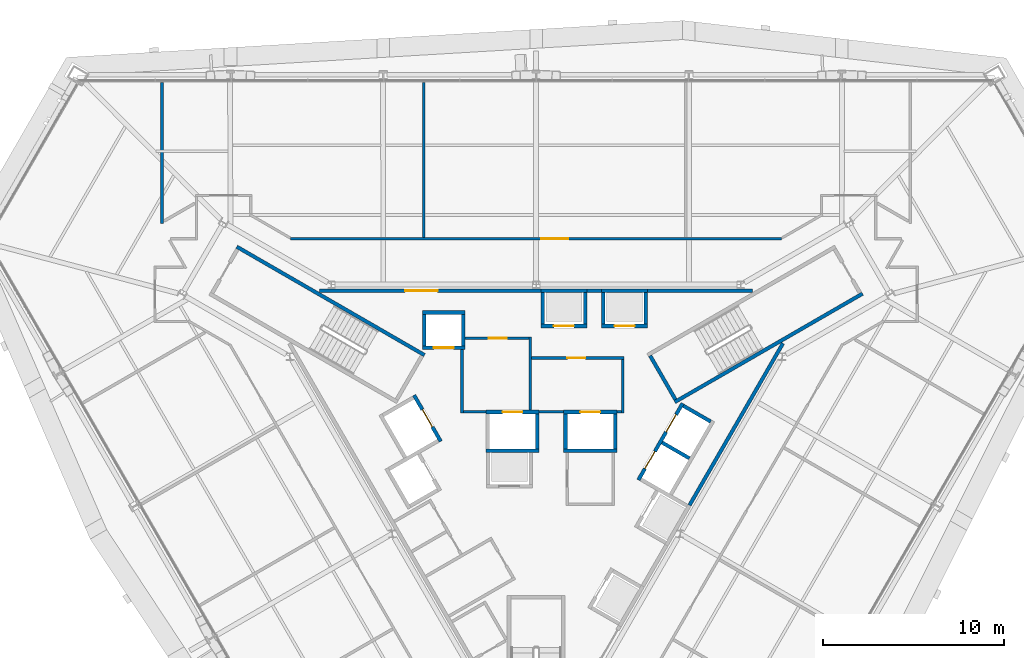
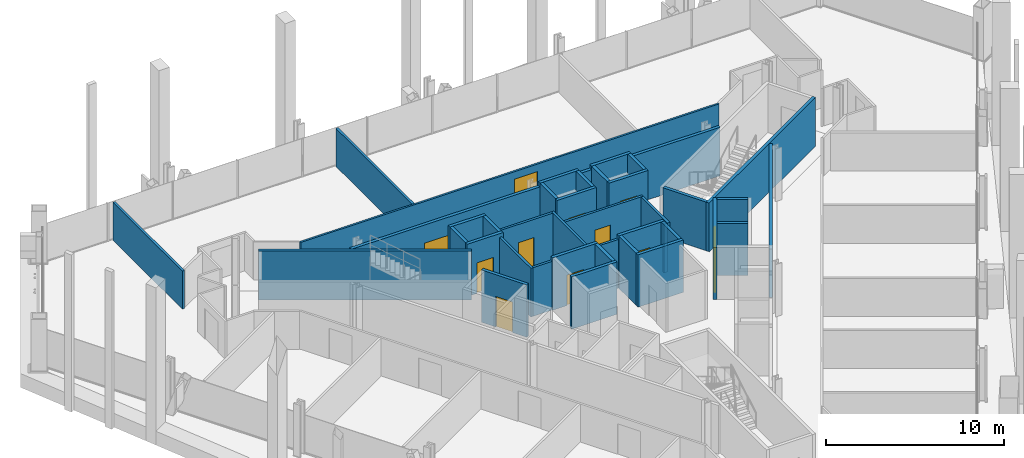
# One storey, part 12 of 16: 41 walls, 12 doors, 12 openings.
"""IFC4 building model written with IfcOpenShell, lengths in metres."""

from ifc_helpers import new_model, si_unit, direction, frame, frame_2d, origin, place, context, subcontext, project, spatial, rectangle, extrude, material, layer, layer_set, type_object, element, fill, save


model = new_model("IFC4")

# Units and contexts
model_context = context("Model", 3, precision=1e-05, world=origin(), true_north=direction((0.0, 1.0)))
body_context = subcontext(model_context, "Body", "Model", "MODEL_VIEW")
ifc_project = project(units=[si_unit("LENGTHUNIT", "METRE"), si_unit("AREAUNIT", "SQUARE_METRE"), si_unit("VOLUMEUNIT", "CUBIC_METRE"), si_unit("PLANEANGLEUNIT", "RADIAN"), si_unit("MASSUNIT", "GRAM", prefix="KILO")], contexts=[model_context])

# Site, building, storey
site_placement = place(None, origin())
site = spatial("IfcSite", under=ifc_project, at=site_placement, CompositionType="ELEMENT")
building_placement = place(site_placement, origin())
building = spatial("IfcBuilding", under=site, at=building_placement, Name="Verrane Prism Tower", CompositionType="ELEMENT")
storey_placement = place(building_placement, frame((0.0, 0.0, 36.800048828125)))
storey = spatial("IfcBuildingStorey", under=building, at=storey_placement, Name="L06", CompositionType="ELEMENT", Elevation=36.800048828125)

# Wall, opening, door
ifc_material_1 = material(Name="Gypsum board partition", Category="other")
ifc_layer_1 = layer(ifc_material_1, 0.199951171875)
ifc_layer_set_1 = layer_set([ifc_layer_1], Name="CW-200 core boundary wall 2 h")
wall_type_1 = type_object("IfcWallType", Name="CW-200 core boundary wall 2 h", PredefinedType="PARTITIONING", material=ifc_layer_set_1)
wall_1_placement = place(storey_placement, frame((0.262939453125, 8.860107421875, 0.0), z_axis=(0.0, 0.0, 1.0), x_axis=(-1.0, 0.0, 0.0)))
wall_1 = element("IfcWall", 1, at=wall_1_placement, inside=storey, type_object=wall_type_1, Name="Core boundary wall CW3-002", PredefinedType="PARTITIONING", context=body_context, shape_type="SweptSolid", body=[
    extrude(rectangle(XDim=12.25390625, YDim=0.199951171875, at=frame_2d((6.126953125, 0.0))), origin(), (0.0, 0.0, 1.0), 3.349853515625),
])
opening_1_placement = place(wall_1_placement, frame((5.708984375, 0.0, 0.0)))
opening_1 = element("IfcOpeningElement", 2, at=opening_1_placement, cuts=wall_1, Name="Opening D06515", PredefinedType="OPENING", context=body_context, shape_type="SweptSolid", body=[
    extrude(rectangle(XDim=1.800048828125, YDim=2.10009765625, at=frame_2d((0.89990234375, 1.050048828125))), frame((0.0, 0.10986328125, 0.0), z_axis=(0.0, -1.0, 0.0), x_axis=(1.0, 0.0, 0.0)), (0.0, 0.0, 1.0), 0.219970703125),
])
ifc_material_2 = material(Name="Timber veneered door leaf", Category="wood")
door_type_1 = type_object("IfcDoorType", Name="DR-1800x2100 FD60 double leaf lift lobby", OperationType="NOTDEFINED", PredefinedType="DOOR", material=ifc_material_2)
door_1_placement = place(opening_1_placement, origin())
door_1 = element("IfcDoor", 3, at=door_1_placement, inside=storey, type_object=door_type_1, Name="Lift lobby door D06515", OperationType="DOUBLE_DOOR_SINGLE_SWING", OverallHeight=2.10009765625, OverallWidth=1.800048828125, PredefinedType="DOOR", context=body_context, shape_type="SweptSolid", body=[
    extrude(rectangle(XDim=1.800048828125, YDim=2.10009765625, at=frame_2d((0.89990234375, 1.050048828125))), frame((0.0, 0.02490234375, 0.0), z_axis=(0.0, -1.0, 0.0), x_axis=(1.0, 0.0, 0.0)), (0.0, 0.0, 1.0), 0.050048828125),
])
fill(opening_1, door_1)

# Walls
wall_2_placement = place(storey_placement, frame((2.81689453125, 8.860107421875, 0.0), z_axis=(0.0, 0.0, 1.0), x_axis=(1.0, 0.0, 0.0)))
element("IfcWall", 4, at=wall_2_placement, inside=storey, type_object=wall_type_1, Name="Core boundary wall CW3-004", PredefinedType="PARTITIONING", context=body_context, shape_type="SweptSolid", body=[
    extrude(rectangle(XDim=0.80615234375, YDim=0.199951171875, at=frame_2d((0.403076171875, 0.0))), origin(), (0.0, 0.0, 1.0), 3.349853515625),
])
wall_3_placement = place(storey_placement, frame((6.177001953125, 8.860107421875, 0.0), z_axis=(0.0, 0.0, 1.0), x_axis=(1.0, 0.0, 0.0)))
element("IfcWall", 5, at=wall_3_placement, inside=storey, type_object=wall_type_1, Name="Core boundary wall CW3-006", PredefinedType="PARTITIONING", context=body_context, shape_type="SweptSolid", body=[
    extrude(rectangle(XDim=5.81396484375, YDim=0.199951171875, at=frame_2d((2.906982421875, 0.0))), origin(), (0.0, 0.0, 1.0), 3.349853515625),
])
wall_4_placement = place(storey_placement, frame((8.491943359375, -3.011962890625, 0.0), z_axis=(0.0, 0.0, 1.0), x_axis=(0.499972957231, 0.866041016371, 0.0)))
element("IfcWall", 6, at=wall_4_placement, inside=storey, type_object=wall_type_1, Name="Core boundary wall CW3-007", PredefinedType="PARTITIONING", context=body_context, shape_type="SweptSolid", body=[
    extrude(rectangle(XDim=10.3486328125, YDim=0.199951171875, at=frame_2d((5.17431640625, 0.0))), origin(), (0.0, 0.0, 1.0), 3.349853515625),
])
ifc_material_3 = material(Name="Concrete C40/50", Category="concrete")
ifc_layer_2 = layer(ifc_material_3, 0.199951171875)
ifc_layer_set_2 = layer_set([ifc_layer_2], Name="CW-200 stair core wall concrete C40/50 3 h")
wall_type_2 = type_object("IfcWallType", Name="CW-200 stair core wall concrete C40/50 3 h", PredefinedType="PARTITIONING", material=ifc_layer_set_2)
wall_5_placement = place(storey_placement, frame((7.67822265625, 2.700927734375, 0.0), z_axis=(0.0, 0.0, 1.0), x_axis=(0.866026010844, 0.49999894854, 0.0)))
element("IfcWall", 7, at=wall_5_placement, inside=storey, type_object=wall_type_2, Name="Stair 1 enclosure wall", PredefinedType="PARTITIONING", context=body_context, shape_type="SweptSolid", body=[
    extrude(rectangle(XDim=12.0, YDim=0.199951171875, at=frame_2d((6.0, 0.0))), origin(), (0.0, 0.0, 1.0), 3.349853515625),
])
wall_6_placement = place(storey_placement, frame((7.71484375, 2.837646484375, 0.0), z_axis=(0.0, 0.0, 1.0), x_axis=(-0.500049511043, 0.865996816683, 0.0)))
element("IfcWall", 8, at=wall_6_placement, inside=storey, type_object=wall_type_2, Name="Stair 1 enclosure wall", PredefinedType="PARTITIONING", context=body_context, shape_type="SweptSolid", body=[
    extrude(rectangle(XDim=2.800048828125, YDim=0.199951171875, at=frame_2d((1.39990234375, 0.0))), origin(), (0.0, 0.0, 1.0), 3.349853515625),
])
wall_7_placement = place(storey_placement, frame((-6.17822265625, 5.299072265625, 0.0), z_axis=(0.0, 0.0, 1.0), x_axis=(-0.866026010844, 0.49999894854, 0.0)))
element("IfcWall", 9, at=wall_7_placement, inside=storey, type_object=wall_type_2, Name="Stair 2 enclosure wall", PredefinedType="PARTITIONING", context=body_context, shape_type="SweptSolid", body=[
    extrude(rectangle(XDim=12.0, YDim=0.199951171875, at=frame_2d((6.0, 0.0))), origin(), (0.0, 0.0, 1.0), 3.349853515625),
])
ifc_material_4 = material(Name="Gypsum board shaft wall assembly", Category="other")
ifc_layer_3 = layer(ifc_material_4, 0.199951171875)
ifc_layer_set_3 = layer_set([ifc_layer_3], Name="HW-200 lift shaft wall 2 h")
wall_type_3 = type_object("IfcWallType", Name="HW-200 lift shaft wall 2 h", PredefinedType="PARTITIONING", material=ifc_layer_set_3)
wall_8_placement = place(storey_placement, frame((-2.784912109375, 0.0, 0.0), z_axis=(0.0, 0.0, 1.0), x_axis=(1.0, 0.0, 0.0)))
element("IfcWall", 10, at=wall_8_placement, inside=storey, type_object=wall_type_3, Name="Lift shaft wall", PredefinedType="PARTITIONING", context=body_context, shape_type="SweptSolid", body=[
    extrude(rectangle(XDim=2.949951171875, YDim=0.199951171875, at=frame_2d((1.47509765625, 0.0))), origin(), (0.0, 0.0, 1.0), 3.599853515625),
])
wall_9_placement = place(storey_placement, frame((1.52490234375, 0.0, 0.0), z_axis=(0.0, 0.0, 1.0), x_axis=(1.0, 0.0, 0.0)))
element("IfcWall", 11, at=wall_9_placement, inside=storey, type_object=wall_type_3, Name="Lift shaft wall", PredefinedType="PARTITIONING", context=body_context, shape_type="SweptSolid", body=[
    extrude(rectangle(XDim=2.9501953125, YDim=0.199951171875, at=frame_2d((1.47509765625, 0.0))), origin(), (0.0, 0.0, 1.0), 3.599853515625),
])

# Wall, opening, door
wall_10_placement = place(storey_placement, frame((-2.784912109375, 2.14990234375, 0.0), z_axis=(0.0, 0.0, 1.0), x_axis=(1.0, 0.0, 0.0)))
wall_10 = element("IfcWall", 12, at=wall_10_placement, inside=storey, type_object=wall_type_3, Name="Lift shaft wall", PredefinedType="PARTITIONING", context=body_context, shape_type="SweptSolid", body=[
    extrude(rectangle(XDim=2.949951171875, YDim=0.199951171875, at=frame_2d((1.47509765625, 0.0))), origin(), (0.0, 0.0, 1.0), 3.599853515625),
])
opening_2_placement = place(wall_10_placement, frame((0.925048828125, 0.0, 0.0)))
opening_2 = element("IfcOpeningElement", 13, at=opening_2_placement, cuts=wall_10, Name="Opening D06512", PredefinedType="OPENING", context=body_context, shape_type="SweptSolid", body=[
    extrude(rectangle(XDim=1.10009765625, YDim=2.10009765625, at=frame_2d((0.550048828125, 1.050048828125))), frame((0.0, 0.10986328125, 0.0), z_axis=(0.0, -1.0, 0.0), x_axis=(1.0, 0.0, 0.0)), (0.0, 0.0, 1.0), 0.219970703125),
])
ifc_material_5 = material(Name="Stainless steel sliding landing door", Category="steel")
door_type_2 = type_object("IfcDoorType", Name="LD-1100x2100 lift landing door FD90 sliding", OperationType="NOTDEFINED", PredefinedType="DOOR", material=ifc_material_5)
door_2_placement = place(opening_2_placement, origin())
door_2 = element("IfcDoor", 14, at=door_2_placement, inside=storey, type_object=door_type_2, Name="Fire service lift 1 landing door", OperationType="SLIDING_TO_LEFT", OverallHeight=2.10009765625, OverallWidth=1.10009765625, PredefinedType="DOOR", context=body_context, shape_type="SweptSolid", body=[
    extrude(rectangle(XDim=1.10009765625, YDim=2.10009765625, at=frame_2d((0.550048828125, 1.050048828125))), frame((0.0, 0.02490234375, 0.0), z_axis=(0.0, -1.0, 0.0), x_axis=(1.0, 0.0, 0.0)), (0.0, 0.0, 1.0), 0.050048828125),
])
fill(opening_2, door_2)

wall_11_placement = place(storey_placement, frame((1.52490234375, 2.14990234375, 0.0), z_axis=(0.0, 0.0, 1.0), x_axis=(1.0, 0.0, 0.0)))
wall_11 = element("IfcWall", 15, at=wall_11_placement, inside=storey, type_object=wall_type_3, Name="Lift shaft wall", PredefinedType="PARTITIONING", context=body_context, shape_type="SweptSolid", body=[
    extrude(rectangle(XDim=2.9501953125, YDim=0.199951171875, at=frame_2d((1.47509765625, 0.0))), origin(), (0.0, 0.0, 1.0), 3.599853515625),
])
opening_3_placement = place(wall_11_placement, frame((0.925048828125, 0.0, 0.0)))
opening_3 = element("IfcOpeningElement", 16, at=opening_3_placement, cuts=wall_11, Name="Opening D06513", PredefinedType="OPENING", context=body_context, shape_type="SweptSolid", body=[
    extrude(rectangle(XDim=1.10009765625, YDim=2.10009765625, at=frame_2d((0.550048828125, 1.050048828125))), frame((0.0, 0.10986328125, 0.0), z_axis=(0.0, -1.0, 0.0), x_axis=(1.0, 0.0, 0.0)), (0.0, 0.0, 1.0), 0.219970703125),
])
door_3_placement = place(opening_3_placement, origin())
door_3 = element("IfcDoor", 17, at=door_3_placement, inside=storey, type_object=door_type_2, Name="Fire service lift 2 landing door", OperationType="SLIDING_TO_RIGHT", OverallHeight=2.10009765625, OverallWidth=1.10009765625, PredefinedType="DOOR", context=body_context, shape_type="SweptSolid", body=[
    extrude(rectangle(XDim=1.10009765625, YDim=2.10009765625, at=frame_2d((0.550048828125, 1.050048828125))), frame((0.0, 0.02490234375, 0.0), z_axis=(0.0, -1.0, 0.0), x_axis=(1.0, 0.0, 0.0)), (0.0, 0.0, 1.0), 0.050048828125),
])
fill(opening_3, door_3)

wall_12_placement = place(storey_placement, frame((-6.284912109375, 5.7099609375, 0.0), z_axis=(0.0, 0.0, 1.0), x_axis=(1.0, 0.0, 0.0)))
wall_12 = element("IfcWall", 18, at=wall_12_placement, inside=storey, type_object=wall_type_3, Name="Lift shaft wall", PredefinedType="PARTITIONING", context=body_context, shape_type="SweptSolid", body=[
    extrude(rectangle(XDim=2.349853515625, YDim=0.199951171875, at=frame_2d((1.1748046875, 0.0))), origin(), (0.0, 0.0, 1.0), 3.599853515625),
])
opening_4_placement = place(wall_12_placement, frame((0.625, 0.0, 0.0)))
opening_4 = element("IfcOpeningElement", 19, at=opening_4_placement, cuts=wall_12, Name="Opening D06504", PredefinedType="OPENING", context=body_context, shape_type="SweptSolid", body=[
    extrude(rectangle(XDim=1.10009765625, YDim=2.10009765625, at=frame_2d((0.550048828125, 1.050048828125))), frame((0.0, 0.10986328125, 0.0), z_axis=(0.0, -1.0, 0.0), x_axis=(1.0, 0.0, 0.0)), (0.0, 0.0, 1.0), 0.219970703125),
])
door_4_placement = place(opening_4_placement, origin())
door_4 = element("IfcDoor", 20, at=door_4_placement, inside=storey, type_object=door_type_2, Name="Shuttle lift 2 landing door", OperationType="SLIDING_TO_RIGHT", OverallHeight=2.10009765625, OverallWidth=1.10009765625, PredefinedType="DOOR", context=body_context, shape_type="SweptSolid", body=[
    extrude(rectangle(XDim=1.10009765625, YDim=2.10009765625, at=frame_2d((0.550048828125, 1.050048828125))), frame((0.0, 0.02490234375, 0.0), z_axis=(0.0, -1.0, 0.0), x_axis=(1.0, 0.0, 0.0)), (0.0, 0.0, 1.0), 0.050048828125),
])
fill(opening_4, door_4)

wall_13_placement = place(storey_placement, frame((0.264892578125, 6.909912109375, 0.0), z_axis=(0.0, 0.0, 1.0), x_axis=(1.0, 0.0, 0.0)))
wall_13 = element("IfcWall", 21, at=wall_13_placement, inside=storey, type_object=wall_type_3, Name="Lift shaft wall", PredefinedType="PARTITIONING", context=body_context, shape_type="SweptSolid", body=[
    extrude(rectangle(XDim=2.550048828125, YDim=0.199951171875, at=frame_2d((1.27490234375, 0.0))), origin(), (0.0, 0.0, 1.0), 3.599853515625),
])
opening_5_placement = place(wall_13_placement, frame((0.72509765625, 0.0, 0.0)))
opening_5 = element("IfcOpeningElement", 22, at=opening_5_placement, cuts=wall_13, Name="Opening D06507", PredefinedType="OPENING", context=body_context, shape_type="SweptSolid", body=[
    extrude(rectangle(XDim=1.10009765625, YDim=2.10009765625, at=frame_2d((0.550048828125, 1.050048828125))), frame((0.0, 0.10986328125, 0.0), z_axis=(0.0, -1.0, 0.0), x_axis=(1.0, 0.0, 0.0)), (0.0, 0.0, 1.0), 0.219970703125),
])
door_5_placement = place(opening_5_placement, origin())
door_5 = element("IfcDoor", 23, at=door_5_placement, inside=storey, type_object=door_type_2, Name="Bank A lift 1 landing door", OperationType="SLIDING_TO_LEFT", OverallHeight=2.10009765625, OverallWidth=1.10009765625, PredefinedType="DOOR", context=body_context, shape_type="SweptSolid", body=[
    extrude(rectangle(XDim=1.10009765625, YDim=2.10009765625, at=frame_2d((0.550048828125, 1.050048828125))), frame((0.0, 0.02490234375, 0.0), z_axis=(0.0, -1.0, 0.0), x_axis=(1.0, 0.0, 0.0)), (0.0, 0.0, 1.0), 0.050048828125),
])
fill(opening_5, door_5)

wall_14_placement = place(storey_placement, frame((3.625, 6.909912109375, 0.0), z_axis=(0.0, 0.0, 1.0), x_axis=(1.0, 0.0, 0.0)))
wall_14 = element("IfcWall", 24, at=wall_14_placement, inside=storey, type_object=wall_type_3, Name="Lift shaft wall", PredefinedType="PARTITIONING", context=body_context, shape_type="SweptSolid", body=[
    extrude(rectangle(XDim=2.550048828125, YDim=0.199951171875, at=frame_2d((1.27490234375, 0.0))), origin(), (0.0, 0.0, 1.0), 3.599853515625),
])
opening_6_placement = place(wall_14_placement, frame((0.72509765625, 0.0, 0.0)))
opening_6 = element("IfcOpeningElement", 25, at=opening_6_placement, cuts=wall_14, Name="Opening D06509", PredefinedType="OPENING", context=body_context, shape_type="SweptSolid", body=[
    extrude(rectangle(XDim=1.10009765625, YDim=2.10009765625, at=frame_2d((0.550048828125, 1.050048828125))), frame((0.0, 0.10986328125, 0.0), z_axis=(0.0, -1.0, 0.0), x_axis=(1.0, 0.0, 0.0)), (0.0, 0.0, 1.0), 0.219970703125),
])
door_6_placement = place(opening_6_placement, origin())
door_6 = element("IfcDoor", 26, at=door_6_placement, inside=storey, type_object=door_type_2, Name="Bank A lift 3 landing door", OperationType="SLIDING_TO_LEFT", OverallHeight=2.10009765625, OverallWidth=1.10009765625, PredefinedType="DOOR", context=body_context, shape_type="SweptSolid", body=[
    extrude(rectangle(XDim=1.10009765625, YDim=2.10009765625, at=frame_2d((0.550048828125, 1.050048828125))), frame((0.0, 0.02490234375, 0.0), z_axis=(0.0, -1.0, 0.0), x_axis=(1.0, 0.0, 0.0)), (0.0, 0.0, 1.0), 0.050048828125),
])
fill(opening_6, door_6)

# Walls
wall_15_placement = place(storey_placement, frame((-6.284912109375, 7.659912109375, 0.0), z_axis=(0.0, 0.0, 1.0), x_axis=(1.0, 0.0, 0.0)))
element("IfcWall", 27, at=wall_15_placement, inside=storey, type_object=wall_type_3, Name="Lift shaft wall", PredefinedType="PARTITIONING", context=body_context, shape_type="SweptSolid", body=[
    extrude(rectangle(XDim=2.349853515625, YDim=0.199951171875, at=frame_2d((1.1748046875, 0.0))), origin(), (0.0, 0.0, 1.0), 3.599853515625),
])
for number, where, z_axis, x_axis, name in (
    (28, (0.264892578125, 8.860107421875, 0.0), (0.0, 0.0, 1.0), (1.0, 0.0, 0.0), "Lift shaft wall"),
    (29, (3.625, 8.860107421875, 0.0), (0.0, 0.0, 1.0), (1.0, 0.0, 0.0), "Lift shaft wall"),
):
    element("IfcWall", number, at=place(storey_placement, frame(where, z_axis=z_axis, x_axis=x_axis)), inside=storey, type_object=wall_type_3, Name=name, PredefinedType="PARTITIONING", context=body_context, shape_type="SweptSolid", body=[
        extrude(rectangle(XDim=2.550048828125, YDim=0.199951171875, at=frame_2d((1.27490234375, 0.0))), origin(), (0.0, 0.0, 1.0), 3.599853515625),
    ])

# Wall, openings, doors
wall_16_placement = place(storey_placement, frame((5.66259765625, -1.6123046875, 0.0), z_axis=(0.0, 0.0, 1.0), x_axis=(0.49998122708, 0.866036242063, 0.0)))
wall_16 = element("IfcWall", 30, at=wall_16_placement, inside=storey, type_object=wall_type_3, Name="Lift shaft wall", PredefinedType="PARTITIONING", context=body_context, shape_type="SweptSolid", body=[
    extrude(rectangle(XDim=4.900146484375, YDim=0.199951171875, at=frame_2d((2.4501953125, 0.0))), origin(), (0.0, 0.0, 1.0), 3.599853515625),
])
opening_7_placement = place(wall_16_placement, frame((3.074951171875, 0.0, 0.0)))
opening_7 = element("IfcOpeningElement", 31, at=opening_7_placement, cuts=wall_16, Name="Opening D06503", PredefinedType="OPENING", context=body_context, shape_type="SweptSolid", body=[
    extrude(rectangle(XDim=1.10009765625, YDim=2.10009765625, at=frame_2d((0.550048828125, 1.050048828125))), frame((0.0, 0.10986328125, 0.0), z_axis=(0.0, -1.0, 0.0), x_axis=(1.0, 0.0, 0.0)), (0.0, 0.0, 1.0), 0.219970703125),
])
opening_8_placement = place(wall_16_placement, frame((0.72509765625, 0.0, 0.0)))
opening_8 = element("IfcOpeningElement", 32, at=opening_8_placement, cuts=wall_16, Name="Opening D06505", PredefinedType="OPENING", context=body_context, shape_type="SweptSolid", body=[
    extrude(rectangle(XDim=1.10009765625, YDim=2.10009765625, at=frame_2d((0.550048828125, 1.050048828125))), frame((0.0, 0.10986328125, 0.0), z_axis=(0.0, -1.0, 0.0), x_axis=(1.0, 0.0, 0.0)), (0.0, 0.0, 1.0), 0.219970703125),
])
door_7_placement = place(opening_7_placement, origin())
door_7 = element("IfcDoor", 33, at=door_7_placement, inside=storey, type_object=door_type_2, Name="Shuttle lift 1 landing door", OperationType="SLIDING_TO_LEFT", OverallHeight=2.10009765625, OverallWidth=1.10009765625, PredefinedType="DOOR", context=body_context, shape_type="SweptSolid", body=[
    extrude(rectangle(XDim=1.10009765625, YDim=2.10009765625, at=frame_2d((0.550048828125, 1.050048828125))), frame((0.0, 0.02490234375, 0.0), z_axis=(0.0, -1.0, 0.0), x_axis=(1.0, 0.0, 0.0)), (0.0, 0.0, 1.0), 0.050048828125),
])
fill(opening_7, door_7)
door_8_placement = place(opening_8_placement, origin())
door_8 = element("IfcDoor", 34, at=door_8_placement, inside=storey, type_object=door_type_2, Name="Shuttle lift 3 landing door", OperationType="SLIDING_TO_LEFT", OverallHeight=2.10009765625, OverallWidth=1.10009765625, PredefinedType="DOOR", context=body_context, shape_type="SweptSolid", body=[
    extrude(rectangle(XDim=1.10009765625, YDim=2.10009765625, at=frame_2d((0.550048828125, 1.050048828125))), frame((0.0, 0.02490234375, 0.0), z_axis=(0.0, -1.0, 0.0), x_axis=(1.0, 0.0, 0.0)), (0.0, 0.0, 1.0), 0.050048828125),
])
fill(opening_8, door_8)

# Walls
wall_17_placement = place(storey_placement, frame((6.074951171875, 7.010009765625, 0.0), z_axis=(0.0, 0.0, 1.0), x_axis=(0.0, 1.0, 0.0)))
element("IfcWall", 35, at=wall_17_placement, inside=storey, type_object=wall_type_3, Name="Lift shaft wall", PredefinedType="PARTITIONING", context=body_context, shape_type="SweptSolid", body=[
    extrude(rectangle(XDim=1.75, YDim=0.199951171875, at=frame_2d((0.875, 0.0))), origin(), (0.0, 0.0, 1.0), 3.599853515625),
])
wall_18_placement = place(storey_placement, frame((4.375, 0.10009765625, 0.0), z_axis=(0.0, 0.0, 1.0), x_axis=(0.0, 1.0, 0.0)))
element("IfcWall", 36, at=wall_18_placement, inside=storey, type_object=wall_type_3, Name="Lift shaft wall", PredefinedType="PARTITIONING", context=body_context, shape_type="SweptSolid", body=[
    extrude(rectangle(XDim=1.949951171875, YDim=0.199951171875, at=frame_2d((0.97509765625, 0.0))), origin(), (0.0, 0.0, 1.0), 3.599853515625),
])
for number, where, z_axis, x_axis, name in (
    (37, (3.72509765625, 7.010009765625, 0.0), (0.0, 0.0, 1.0), (0.0, 1.0, 0.0), "Lift shaft wall"),
    (38, (2.715087890625, 7.010009765625, 0.0), (0.0, 0.0, 1.0), (0.0, 1.0, 0.0), "Lift shaft wall"),
):
    element("IfcWall", number, at=place(storey_placement, frame(where, z_axis=z_axis, x_axis=x_axis)), inside=storey, type_object=wall_type_3, Name=name, PredefinedType="PARTITIONING", context=body_context, shape_type="SweptSolid", body=[
        extrude(rectangle(XDim=1.75, YDim=0.199951171875, at=frame_2d((0.875, 0.0))), origin(), (0.0, 0.0, 1.0), 3.599853515625),
    ])
wall_19_placement = place(storey_placement, frame((1.625, 0.10009765625, 0.0), z_axis=(0.0, 0.0, 1.0), x_axis=(0.0, 1.0, 0.0)))
element("IfcWall", 39, at=wall_19_placement, inside=storey, type_object=wall_type_3, Name="Lift shaft wall", PredefinedType="PARTITIONING", context=body_context, shape_type="SweptSolid", body=[
    extrude(rectangle(XDim=1.949951171875, YDim=0.199951171875, at=frame_2d((0.97509765625, 0.0))), origin(), (0.0, 0.0, 1.0), 3.599853515625),
])
wall_20_placement = place(storey_placement, frame((0.364990234375, 7.010009765625, 0.0), z_axis=(0.0, 0.0, 1.0), x_axis=(0.0, 1.0, 0.0)))
element("IfcWall", 40, at=wall_20_placement, inside=storey, type_object=wall_type_3, Name="Lift shaft wall", PredefinedType="PARTITIONING", context=body_context, shape_type="SweptSolid", body=[
    extrude(rectangle(XDim=1.75, YDim=0.199951171875, at=frame_2d((0.875, 0.0))), origin(), (0.0, 0.0, 1.0), 3.599853515625),
])
wall_21_placement = place(storey_placement, frame((0.06494140625, 0.10009765625, 0.0), z_axis=(0.0, 0.0, 1.0), x_axis=(0.0, 1.0, 0.0)))
element("IfcWall", 41, at=wall_21_placement, inside=storey, type_object=wall_type_3, Name="Lift shaft wall", PredefinedType="PARTITIONING", context=body_context, shape_type="SweptSolid", body=[
    extrude(rectangle(XDim=1.949951171875, YDim=0.199951171875, at=frame_2d((0.97509765625, 0.0))), origin(), (0.0, 0.0, 1.0), 3.599853515625),
])
for number, where, z_axis, x_axis, name in (
    (42, (-4.034912109375, 5.81005859375, 0.0), (0.0, 0.0, 1.0), (0.0, 1.0, 0.0), "Lift shaft wall"),
    (43, (-6.18505859375, 5.81005859375, 0.0), (0.0, 0.0, 1.0), (0.0, 1.0, 0.0), "Lift shaft wall"),
):
    element("IfcWall", number, at=place(storey_placement, frame(where, z_axis=z_axis, x_axis=x_axis)), inside=storey, type_object=wall_type_3, Name=name, PredefinedType="PARTITIONING", context=body_context, shape_type="SweptSolid", body=[
        extrude(rectangle(XDim=1.75, YDim=0.199951171875, at=frame_2d((0.875, 0.0))), origin(), (0.0, 0.0, 1.0), 3.599853515625),
    ])

# Wall, opening, door
wall_22_placement = place(storey_placement, frame((-5.280029296875, 0.525390625, 0.0), z_axis=(0.0, 0.0, 1.0), x_axis=(-0.500037662692, 0.866003658127, 0.0)))
wall_22 = element("IfcWall", 44, at=wall_22_placement, inside=storey, type_object=wall_type_3, Name="Lift shaft wall", PredefinedType="PARTITIONING", context=body_context, shape_type="SweptSolid", body=[
    extrude(rectangle(XDim=2.949951171875, YDim=0.199951171875, at=frame_2d((1.47509765625, 0.0))), origin(), (0.0, 0.0, 1.0), 3.599853515625),
])
opening_9_placement = place(wall_22_placement, frame((0.925048828125, 0.0, 0.0)))
opening_9 = element("IfcOpeningElement", 45, at=opening_9_placement, cuts=wall_22, Name="Opening D06514", PredefinedType="OPENING", context=body_context, shape_type="SweptSolid", body=[
    extrude(rectangle(XDim=1.10009765625, YDim=2.10009765625, at=frame_2d((0.550048828125, 1.050048828125))), frame((0.0, 0.10986328125, 0.0), z_axis=(0.0, -1.0, 0.0), x_axis=(1.0, 0.0, 0.0)), (0.0, 0.0, 1.0), 0.219970703125),
])
door_9_placement = place(opening_9_placement, origin())
door_9 = element("IfcDoor", 46, at=door_9_placement, inside=storey, type_object=door_type_2, Name="Service lift 1 landing door", OperationType="SLIDING_TO_LEFT", OverallHeight=2.10009765625, OverallWidth=1.10009765625, PredefinedType="DOOR", context=body_context, shape_type="SweptSolid", body=[
    extrude(rectangle(XDim=1.10009765625, YDim=2.10009765625, at=frame_2d((0.550048828125, 1.050048828125))), frame((0.0, 0.02490234375, 0.0), z_axis=(0.0, -1.0, 0.0), x_axis=(1.0, 0.0, 0.0)), (0.0, 0.0, 1.0), 0.050048828125),
])
fill(opening_9, door_9)

# Walls
wall_23_placement = place(storey_placement, frame((9.66455078125, 1.61962890625, 0.0), z_axis=(0.0, 0.0, 1.0), x_axis=(-0.866002029911, 0.500040482552, 0.0)))
element("IfcWall", 47, at=wall_23_placement, inside=storey, type_object=wall_type_3, Name="Lift shaft wall", PredefinedType="PARTITIONING", context=body_context, shape_type="SweptSolid", body=[
    extrude(rectangle(XDim=1.749755859375, YDim=0.199951171875, at=frame_2d((0.875, 0.0))), origin(), (0.0, 0.0, 1.0), 3.599853515625),
])
wall_24_placement = place(storey_placement, frame((8.48974609375, -0.41552734375, 0.0), z_axis=(0.0, 0.0, 1.0), x_axis=(-0.866036909293, 0.499980071345, 0.0)))
element("IfcWall", 48, at=wall_24_placement, inside=storey, type_object=wall_type_3, Name="Lift shaft wall", PredefinedType="PARTITIONING", context=body_context, shape_type="SweptSolid", body=[
    extrude(rectangle(XDim=1.75, YDim=0.199951171875, at=frame_2d((0.875, 0.0))), origin(), (0.0, 0.0, 1.0), 3.599853515625),
])
ifc_material_6 = material(Name="Gypsum board partition", Category="other")
ifc_layer_4 = layer(ifc_material_6, 0.14990234375)
ifc_layer_set_4 = layer_set([ifc_layer_4], Name="LF-150 firefighting lobby wall 1 h")
wall_type_4 = type_object("IfcWallType", Name="LF-150 firefighting lobby wall 1 h", PredefinedType="PARTITIONING", material=ifc_layer_set_4)
wall_25_placement = place(storey_placement, frame((-4.10009765625, 2.0849609375, 0.0), z_axis=(0.0, 0.0, 1.0), x_axis=(0.0, 1.0, 0.0)))
element("IfcWall", 49, at=wall_25_placement, inside=storey, type_object=wall_type_4, Name="Firefighting lobby wall LF1-001", PredefinedType="PARTITIONING", context=body_context, shape_type="SweptSolid", body=[
    extrude(rectangle(XDim=3.52294921875, YDim=0.14990234375, at=frame_2d((1.761474609375, 0.0))), origin(), (0.0, 0.0, 1.0), 3.349853515625),
])
wall_26_placement = place(storey_placement, frame((-4.02490234375, 2.159912109375, 0.0), z_axis=(0.0, 0.0, 1.0), x_axis=(1.0, 0.0, 0.0)))
element("IfcWall", 50, at=wall_26_placement, inside=storey, type_object=wall_type_4, Name="Firefighting lobby wall LF1-002", PredefinedType="PARTITIONING", context=body_context, shape_type="SweptSolid", body=[
    extrude(rectangle(XDim=1.23779296875, YDim=0.14990234375, at=frame_2d((0.618896484375, 0.0))), origin(), (0.0, 0.0, 1.0), 3.349853515625),
])

# Wall, opening, door
wall_27_placement = place(storey_placement, frame((-3.93310546875, 6.239990234375, 0.0), z_axis=(0.0, 0.0, 1.0), x_axis=(1.0, 0.0, 0.0)))
wall_27 = element("IfcWall", 51, at=wall_27_placement, inside=storey, type_object=wall_type_4, Name="Firefighting lobby wall LF1-003", PredefinedType="PARTITIONING", context=body_context, shape_type="SweptSolid", body=[
    extrude(rectangle(XDim=3.5380859375, YDim=0.14990234375, at=frame_2d((1.76904296875, 0.0))), origin(), (0.0, 0.0, 1.0), 3.349853515625),
])
opening_10_placement = place(wall_27_placement, frame((1.300048828125, 0.0, 0.0)))
opening_10 = element("IfcOpeningElement", 52, at=opening_10_placement, cuts=wall_27, Name="Opening D06518", PredefinedType="OPENING", context=body_context, shape_type="SweptSolid", body=[
    extrude(rectangle(XDim=1.0, YDim=2.10009765625, at=frame_2d((0.5, 1.050048828125))), frame((0.0, 0.0849609375, 0.0), z_axis=(0.0, -1.0, 0.0), x_axis=(1.0, 0.0, 0.0)), (0.0, 0.0, 1.0), 0.169921875),
])
ifc_material_7 = material(Name="Timber veneered door leaf", Category="wood")
door_type_3 = type_object("IfcDoorType", Name="DR-1000x2100 FD60 single leaf firefighting lobby", OperationType="NOTDEFINED", PredefinedType="DOOR", material=ifc_material_7)
door_10_placement = place(opening_10_placement, origin())
door_10 = element("IfcDoor", 53, at=door_10_placement, inside=storey, type_object=door_type_3, Name="Firefighting lobby door D06518", OperationType="SINGLE_SWING_LEFT", OverallHeight=2.10009765625, OverallWidth=1.0, PredefinedType="DOOR", context=body_context, shape_type="SweptSolid", body=[
    extrude(rectangle(XDim=1.0, YDim=2.10009765625, at=frame_2d((0.5, 1.050048828125))), frame((0.0, 0.02490234375, 0.0), z_axis=(0.0, -1.0, 0.0), x_axis=(1.0, 0.0, 0.0)), (0.0, 0.0, 1.0), 0.050048828125),
])
fill(opening_10, door_10)

# Wall
wall_28_placement = place(storey_placement, frame((-0.320068359375, 2.251953125, 0.0), z_axis=(0.0, 0.0, 1.0), x_axis=(0.0, 1.0, 0.0)))
element("IfcWall", 54, at=wall_28_placement, inside=storey, type_object=wall_type_4, Name="Firefighting lobby wall LF1-004", PredefinedType="PARTITIONING", context=body_context, shape_type="SweptSolid", body=[
    extrude(rectangle(XDim=4.06298828125, YDim=0.14990234375, at=frame_2d((2.031494140625, 0.0))), origin(), (0.0, 0.0, 1.0), 3.349853515625),
])

# Wall, opening, door
wall_29_placement = place(storey_placement, frame((-0.2451171875, 5.139892578125, 0.0), z_axis=(0.0, 0.0, 1.0), x_axis=(1.0, 0.0, 0.0)))
wall_29 = element("IfcWall", 55, at=wall_29_placement, inside=storey, type_object=wall_type_4, Name="Firefighting lobby wall LF1-005", PredefinedType="PARTITIONING", context=body_context, shape_type="SweptSolid", body=[
    extrude(rectangle(XDim=5.110107421875, YDim=0.14990234375, at=frame_2d((2.55517578125, 0.0))), origin(), (0.0, 0.0, 1.0), 3.349853515625),
])
opening_11_placement = place(wall_29_placement, frame((1.97509765625, 0.0, 0.0)))
opening_11 = element("IfcOpeningElement", 56, at=opening_11_placement, cuts=wall_29, Name="Opening D06521", PredefinedType="OPENING", context=body_context, shape_type="SweptSolid", body=[
    extrude(rectangle(XDim=1.0, YDim=2.10009765625, at=frame_2d((0.5, 1.050048828125))), frame((0.0, 0.0849609375, 0.0), z_axis=(0.0, -1.0, 0.0), x_axis=(1.0, 0.0, 0.0)), (0.0, 0.0, 1.0), 0.169921875),
])
door_11_placement = place(opening_11_placement, origin())
door_11 = element("IfcDoor", 57, at=door_11_placement, inside=storey, type_object=door_type_3, Name="Firefighting lobby door D06521", OperationType="SINGLE_SWING_RIGHT", OverallHeight=2.10009765625, OverallWidth=1.0, PredefinedType="DOOR", context=body_context, shape_type="SweptSolid", body=[
    extrude(rectangle(XDim=1.0, YDim=2.10009765625, at=frame_2d((0.5, 1.050048828125))), frame((0.0, 0.02490234375, 0.0), z_axis=(0.0, -1.0, 0.0), x_axis=(1.0, 0.0, 0.0)), (0.0, 0.0, 1.0), 0.050048828125),
])
fill(opening_11, door_11)

# Walls
wall_30_placement = place(storey_placement, frame((0.1669921875, 2.159912109375, 0.0), z_axis=(0.0, 0.0, 1.0), x_axis=(1.0, 0.0, 0.0)))
element("IfcWall", 58, at=wall_30_placement, inside=storey, type_object=wall_type_4, Name="Firefighting lobby wall LF1-006", PredefinedType="PARTITIONING", context=body_context, shape_type="SweptSolid", body=[
    extrude(rectangle(XDim=1.35595703125, YDim=0.14990234375, at=frame_2d((0.677978515625, 0.0))), origin(), (0.0, 0.0, 1.0), 3.349853515625),
])
wall_31_placement = place(storey_placement, frame((4.47705078125, 2.159912109375, 0.0), z_axis=(0.0, 0.0, 1.0), x_axis=(1.0, 0.0, 0.0)))
element("IfcWall", 59, at=wall_31_placement, inside=storey, type_object=wall_type_4, Name="Firefighting lobby wall LF1-007", PredefinedType="PARTITIONING", context=body_context, shape_type="SweptSolid", body=[
    extrude(rectangle(XDim=0.238037109375, YDim=0.14990234375, at=frame_2d((0.119140625, 0.0))), origin(), (0.0, 0.0, 1.0), 3.349853515625),
])
wall_32_placement = place(storey_placement, frame((4.7900390625, 2.0849609375, 0.0), z_axis=(0.0, 0.0, 1.0), x_axis=(0.0, 1.0, 0.0)))
element("IfcWall", 60, at=wall_32_placement, inside=storey, type_object=wall_type_4, Name="Firefighting lobby wall LF1-008", PredefinedType="PARTITIONING", context=body_context, shape_type="SweptSolid", body=[
    extrude(rectangle(XDim=2.97998046875, YDim=0.14990234375, at=frame_2d((1.489990234375, 0.0))), origin(), (0.0, 0.0, 1.0), 3.349853515625),
])

# Wall, opening, door
ifc_material_8 = material(Name="Gypsum board partition", Category="other")
ifc_layer_5 = layer(ifc_material_8, 0.125)
ifc_layer_set_5 = layer_set([ifc_layer_5], Name="PW-125 corridor wall 1 h")
wall_type_5 = type_object("IfcWallType", Name="PW-125 corridor wall 1 h", PredefinedType="PARTITIONING", material=ifc_layer_set_5)
wall_33_placement = place(storey_placement, frame((-13.598388671875, 11.740966796875, 0.0), z_axis=(0.0, 0.0, 1.0), x_axis=(1.0, 0.0, 0.0)))
wall_33 = element("IfcWall", 61, at=wall_33_placement, inside=storey, type_object=wall_type_5, Name="Corridor wall 418", PredefinedType="PARTITIONING", context=body_context, shape_type="SweptSolid", body=[
    extrude(rectangle(XDim=27.19677734375, YDim=0.125, at=frame_2d((13.598388671875, 0.0))), origin(), (0.0, 0.0, 1.0), 2.613037109375),
])
opening_12_placement = place(wall_33_placement, frame((13.883544921875, 0.0, 0.0)))
opening_12 = element("IfcOpeningElement", 62, at=opening_12_placement, cuts=wall_33, Name="Opening D06302", PredefinedType="OPENING", context=body_context, shape_type="SweptSolid", body=[
    extrude(rectangle(XDim=1.5, YDim=2.10009765625, at=frame_2d((0.75, 1.050048828125))), frame((0.0, 0.072509765625, 0.0), z_axis=(0.0, -1.0, 0.0), x_axis=(1.0, 0.0, 0.0)), (0.0, 0.0, 1.0), 0.14501953125),
])
ifc_material_9 = material(Name="Timber veneered door leaf", Category="wood")
door_type_4 = type_object("IfcDoorType", Name="DR-1500x2100 FD20 double leaf public", OperationType="NOTDEFINED", PredefinedType="DOOR", material=ifc_material_9)
door_12_placement = place(opening_12_placement, origin())
door_12 = element("IfcDoor", 63, at=door_12_placement, inside=storey, type_object=door_type_4, Name="Lobby Lounge door", OperationType="DOUBLE_DOOR_SINGLE_SWING", OverallHeight=2.10009765625, OverallWidth=1.5, PredefinedType="DOOR", context=body_context, shape_type="SweptSolid", body=[
    extrude(rectangle(XDim=1.5, YDim=2.10009765625, at=frame_2d((0.75, 1.050048828125))), frame((0.0, 0.02490234375, 0.0), z_axis=(0.0, -1.0, 0.0), x_axis=(1.0, 0.0, 0.0)), (0.0, 0.0, 1.0), 0.050048828125),
])
fill(opening_12, door_12)

# Walls
ifc_material_10 = material(Name="Gypsum board partition", Category="other")
ifc_layer_6 = layer(ifc_material_10, 0.14990234375)
ifc_layer_set_6 = layer_set([ifc_layer_6], Name="PW-150 demising wall 1 h")
wall_type_6 = type_object("IfcWallType", Name="PW-150 demising wall 1 h", PredefinedType="PARTITIONING", material=ifc_layer_set_6)
wall_34_placement = place(storey_placement, frame((-20.715087890625, 12.576904296875, 0.0), z_axis=(0.0, 0.0, 1.0), x_axis=(0.0, 1.0, 0.0)))
element("IfcWall", 64, at=wall_34_placement, inside=storey, type_object=wall_type_6, Name="Demising wall 406", PredefinedType="PARTITIONING", context=body_context, shape_type="SweptSolid", body=[
    extrude(rectangle(XDim=7.818115234375, YDim=0.14990234375, at=frame_2d((3.9091796875, 0.0))), origin(), (0.0, 0.0, 1.0), 2.613037109375),
])
wall_35_placement = place(storey_placement, frame((-6.215087890625, 11.803466796875, 0.0), z_axis=(0.0, 0.0, 1.0), x_axis=(0.0, 1.0, 0.0)))
element("IfcWall", 65, at=wall_35_placement, inside=storey, type_object=wall_type_6, Name="Demising wall 421", PredefinedType="PARTITIONING", context=body_context, shape_type="SweptSolid", body=[
    extrude(rectangle(XDim=8.591552734375, YDim=0.14990234375, at=frame_2d((4.2958984375, 0.0))), origin(), (0.0, 0.0, 1.0), 2.613037109375),
])

save(model, "model.ifc")
